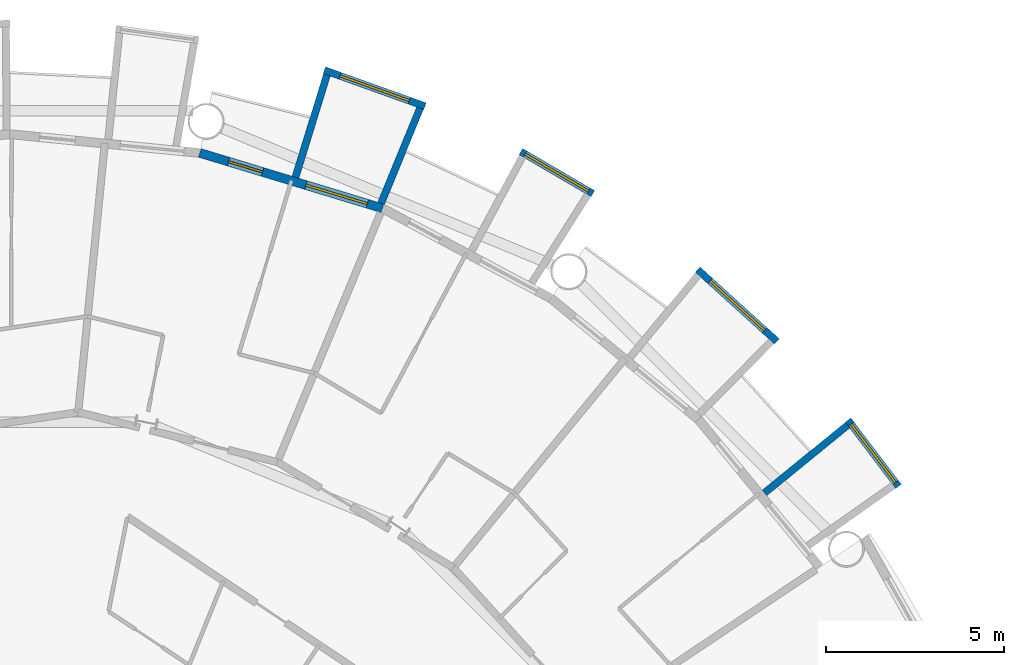
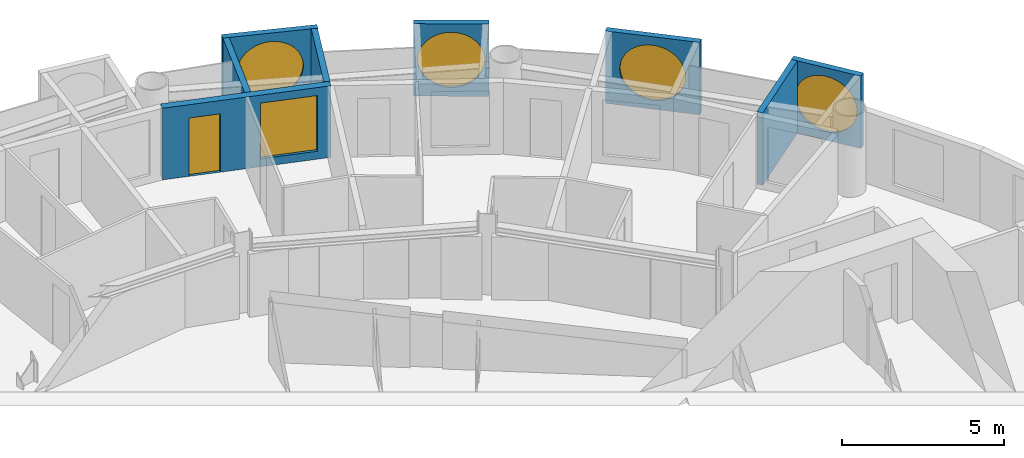
# One storey, part 22 of 26: 8 walls, 5 windows, 1 door, 6 openings.
"""IFC4 building model written with IfcOpenShell, lengths in metres."""

from ifc_helpers import new_model, si_unit, direction, frame, frame_2d, origin, place, context, subcontext, project, spatial, rectangle, circle, extrude, material, layer, layer_set, type_object, element, fill, save


model = new_model("IFC4")

# Units and contexts
model_context = context("Model", 3, precision=1e-05, world=origin(), true_north=direction((0.0, 1.0)))
body_context = subcontext(model_context, "Body", "Model", "MODEL_VIEW")
ifc_project = project(units=[si_unit("LENGTHUNIT", "METRE"), si_unit("AREAUNIT", "SQUARE_METRE"), si_unit("VOLUMEUNIT", "CUBIC_METRE"), si_unit("PLANEANGLEUNIT", "RADIAN"), si_unit("MASSUNIT", "GRAM", prefix="KILO")], contexts=[model_context])

# Site, building, storey
site_placement = place(None, origin())
site = spatial("IfcSite", under=ifc_project, at=site_placement, CompositionType="ELEMENT")
building_placement = place(site_placement, origin())
building = spatial("IfcBuilding", under=site, at=building_placement, Name="Maasbend Ring Residences", CompositionType="ELEMENT")
storey_placement = place(building_placement, frame((0.0, 0.0, 28.89990234375)))
storey = spatial("IfcBuildingStorey", under=building, at=storey_placement, Name="L07", CompositionType="ELEMENT", Elevation=28.89990234375)

# Wall, opening, window
ifc_material_1 = material(Name="Pale anodised aluminium panel", Category="aluminium")
ifc_layer_1 = layer(ifc_material_1, 0.199951171875)
ifc_layer_set_1 = layer_set([ifc_layer_1], Name="EW-BOX")
wall_type_1 = type_object("IfcWallType", Name="EW-BOX", PredefinedType="SOLIDWALL", material=ifc_layer_set_1)
wall_1_placement = place(storey_placement, frame((24.908935546875, 17.427001953125, -0.02978515625), z_axis=(0.0, 0.0, 1.0), x_axis=(-0.60418752353, 0.796842165306, 0.0)))
wall_1 = element("IfcWall", 1, at=wall_1_placement, inside=storey, type_object=wall_type_1, Name="Box front N01", PredefinedType="SOLIDWALL", context=body_context, shape_type="SweptSolid", body=[
    extrude(rectangle(XDim=2.3369140625, YDim=0.199951171875, at=frame_2d((1.16845703125, 0.0))), origin(), (0.0, 0.0, 1.0), 2.72998046875),
])
opening_1_placement = place(wall_1_placement, frame((0.128173828125, 0.0, 0.330078125)))
opening_1 = element("IfcOpeningElement", 2, at=opening_1_placement, cuts=wall_1, Name="Opening W-RD", PredefinedType="OPENING", context=body_context, shape_type="SweptSolid", body=[
    extrude(circle(Radius=1.0400390625, at=frame_2d((1.0400390625, 1.0400390625))), frame((0.0, 0.10986328125, 0.0), z_axis=(0.0, -1.0, 0.0), x_axis=(1.0, 0.0, 0.0)), (0.0, 0.0, 1.0), 0.219970703125),
])
ifc_material_2 = material(Name="Aluminium and clear glass", Category="aluminium")
window_type_1 = type_object("IfcWindowType", Name="W-RD", PartitioningType="SINGLE_PANEL", PredefinedType="WINDOW", material=ifc_material_2)
window_1_placement = place(opening_1_placement, origin())
window_1 = element("IfcWindow", 3, at=window_1_placement, inside=storey, type_object=window_type_1, Name="Round window N01", OverallHeight=2.080078125, OverallWidth=2.080078125, PartitioningType="SINGLE_PANEL", PredefinedType="WINDOW", context=body_context, shape_type="SweptSolid", body=[
    extrude(circle(Radius=1.0400390625, at=frame_2d((1.0400390625, 1.0400390625))), frame((0.0, 0.030029296875, 0.0), z_axis=(0.0, -1.0, 0.0), x_axis=(1.0, 0.0, 0.0)), (0.0, 0.0, 1.0), 0.06005859375),
])
fill(opening_1, window_1)

# Wall
wall_2_placement = place(storey_placement, frame((21.155029296875, 17.24609375, -0.02978515625), z_axis=(0.0, 0.0, 1.0), x_axis=(0.775179004516, 0.631741648902, 0.0)))
element("IfcWall", 4, at=wall_2_placement, inside=storey, type_object=wall_type_1, Name="Box side wall N01 right", PredefinedType="SOLIDWALL", context=body_context, shape_type="SweptSolid", body=[
    extrude(rectangle(XDim=3.005859375, YDim=0.199951171875, at=frame_2d((1.5029296875, 0.0))), origin(), (0.0, 0.0, 1.0), 2.72998046875),
])

# Wall, opening, window
wall_3_placement = place(storey_placement, frame((21.5, 21.492919921875, -0.02978515625), z_axis=(0.0, 0.0, 1.0), x_axis=(-0.740998365753, 0.671506829416, 0.0)))
wall_3 = element("IfcWall", 5, at=wall_3_placement, inside=storey, type_object=wall_type_1, Name="Box front N03", PredefinedType="SOLIDWALL", context=body_context, shape_type="SweptSolid", body=[
    extrude(rectangle(XDim=2.9931640625, YDim=0.199951171875, at=frame_2d((1.49658203125, 0.0))), origin(), (0.0, 0.0, 1.0), 2.72998046875),
])
opening_2_placement = place(wall_3_placement, frame((0.45654296875, 0.0, 0.330078125)))
opening_2 = element("IfcOpeningElement", 6, at=opening_2_placement, cuts=wall_3, Name="Opening W-RD", PredefinedType="OPENING", context=body_context, shape_type="SweptSolid", body=[
    extrude(circle(Radius=1.0400390625, at=frame_2d((1.0400390625, 1.0400390625))), frame((0.0, 0.10986328125, 0.0), z_axis=(0.0, -1.0, 0.0), x_axis=(1.0, 0.0, 0.0)), (0.0, 0.0, 1.0), 0.219970703125),
])
window_2_placement = place(opening_2_placement, origin())
window_2 = element("IfcWindow", 7, at=window_2_placement, inside=storey, type_object=window_type_1, Name="Round window N03", OverallHeight=2.080078125, OverallWidth=2.080078125, PartitioningType="SINGLE_PANEL", PredefinedType="WINDOW", context=body_context, shape_type="SweptSolid", body=[
    extrude(circle(Radius=1.0400390625, at=frame_2d((1.0400390625, 1.0400390625))), frame((0.0, 0.030029296875, 0.0), z_axis=(0.0, -1.0, 0.0), x_axis=(1.0, 0.0, 0.0)), (0.0, 0.0, 1.0), 0.06005859375),
])
fill(opening_2, window_2)

wall_4_placement = place(storey_placement, frame((16.343994140625, 25.633056640625, -0.02978515625), z_axis=(0.0, 0.0, 1.0), x_axis=(-0.863346521872, 0.504611517081, 0.0)))
wall_4 = element("IfcWall", 8, at=wall_4_placement, inside=storey, type_object=wall_type_1, Name="Box front N05", PredefinedType="SOLIDWALL", context=body_context, shape_type="SweptSolid", body=[
    extrude(rectangle(XDim=2.33642578125, YDim=0.199951171875, at=frame_2d((1.168212890625, 0.0))), origin(), (0.0, 0.0, 1.0), 2.72998046875),
])
opening_3_placement = place(wall_4_placement, frame((0.128173828125, 0.0, 0.330078125)))
opening_3 = element("IfcOpeningElement", 9, at=opening_3_placement, cuts=wall_4, Name="Opening W-RD", PredefinedType="OPENING", context=body_context, shape_type="SweptSolid", body=[
    extrude(circle(Radius=1.0400390625, at=frame_2d((1.0400390625, 1.0400390625))), frame((0.0, 0.10986328125, 0.0), z_axis=(0.0, -1.0, 0.0), x_axis=(1.0, 0.0, 0.0)), (0.0, 0.0, 1.0), 0.219970703125),
])
window_3_placement = place(opening_3_placement, origin())
window_3 = element("IfcWindow", 10, at=window_3_placement, inside=storey, type_object=window_type_1, Name="Round window N05", OverallHeight=2.080078125, OverallWidth=2.080078125, PartitioningType="SINGLE_PANEL", PredefinedType="WINDOW", context=body_context, shape_type="SweptSolid", body=[
    extrude(circle(Radius=1.0400390625, at=frame_2d((1.0400390625, 1.0400390625))), frame((0.0, 0.030029296875, 0.0), z_axis=(0.0, -1.0, 0.0), x_axis=(1.0, 0.0, 0.0)), (0.0, 0.0, 1.0), 0.06005859375),
])
fill(opening_3, window_3)

wall_5_placement = place(storey_placement, frame((11.637939453125, 28.083984375, -0.02978515625), z_axis=(0.0, 0.0, 1.0), x_axis=(-0.941461077774, 0.337121697664, 0.0)))
wall_5 = element("IfcWall", 11, at=wall_5_placement, inside=storey, type_object=wall_type_1, Name="Box front N07", PredefinedType="SOLIDWALL", context=body_context, shape_type="SweptSolid", body=[
    extrude(rectangle(XDim=2.9931640625, YDim=0.199951171875, at=frame_2d((1.49658203125, 0.0))), origin(), (0.0, 0.0, 1.0), 2.72998046875),
])
opening_4_placement = place(wall_5_placement, frame((0.45654296875, 0.0, 0.330078125)))
opening_4 = element("IfcOpeningElement", 12, at=opening_4_placement, cuts=wall_5, Name="Opening W-RD", PredefinedType="OPENING", context=body_context, shape_type="SweptSolid", body=[
    extrude(circle(Radius=1.0400390625, at=frame_2d((1.0400390625, 1.0400390625))), frame((0.0, 0.10986328125, 0.0), z_axis=(0.0, -1.0, 0.0), x_axis=(1.0, 0.0, 0.0)), (0.0, 0.0, 1.0), 0.219970703125),
])
window_4_placement = place(opening_4_placement, origin())
window_4 = element("IfcWindow", 13, at=window_4_placement, inside=storey, type_object=window_type_1, Name="Round window N07", OverallHeight=2.080078125, OverallWidth=2.080078125, PartitioningType="SINGLE_PANEL", PredefinedType="WINDOW", context=body_context, shape_type="SweptSolid", body=[
    extrude(circle(Radius=1.0400390625, at=frame_2d((1.0400390625, 1.0400390625))), frame((0.0, 0.030029296875, 0.0), z_axis=(0.0, -1.0, 0.0), x_axis=(1.0, 0.0, 0.0)), (0.0, 0.0, 1.0), 0.06005859375),
])
fill(opening_4, window_4)

# Walls
wall_6_placement = place(storey_placement, frame((10.408935546875, 25.364013671875, -0.02978515625), z_axis=(0.0, 0.0, 1.0), x_axis=(0.379509886562, 0.925187681501, 0.0)))
element("IfcWall", 14, at=wall_6_placement, inside=storey, type_object=wall_type_1, Name="Box side wall N07 left", PredefinedType="SOLIDWALL", context=body_context, shape_type="SweptSolid", body=[
    extrude(rectangle(XDim=2.882568359375, YDim=0.199951171875, at=frame_2d((1.44140625, 0.0))), origin(), (0.0, 0.0, 1.0), 2.72998046875),
])
wall_7_placement = place(storey_placement, frame((8.009033203125, 26.092041015625, -0.02978515625), z_axis=(0.0, 0.0, 1.0), x_axis=(0.293406695073, 0.955987715029, 0.0)))
element("IfcWall", 15, at=wall_7_placement, inside=storey, type_object=wall_type_1, Name="Box side wall N07 right", PredefinedType="SOLIDWALL", context=body_context, shape_type="SweptSolid", body=[
    extrude(rectangle(XDim=3.00634765625, YDim=0.199951171875, at=frame_2d((1.503173828125, 0.0))), origin(), (0.0, 0.0, 1.0), 2.72998046875),
])

# Wall, openings, door, window
ifc_material_3 = material(Name="Aluminium clad insulated panel", Category="aluminium")
ifc_layer_2 = layer(ifc_material_3, 0.25)
ifc_layer_set_2 = layer_set([ifc_layer_2], Name="EW-GL")
wall_type_2 = type_object("IfcWallType", Name="EW-GL", PredefinedType="SOLIDWALL", material=ifc_layer_set_2)
wall_8_placement = place(storey_placement, frame((10.447021484375, 25.221923828125, 0.0), z_axis=(0.0, 0.0, 1.0), x_axis=(-0.956965678721, 0.290201119486, 0.0)))
wall_8 = element("IfcWall", 16, at=wall_8_placement, inside=storey, type_object=wall_type_2, Name="External wall N04", PredefinedType="SOLIDWALL", context=body_context, shape_type="SweptSolid", body=[
    extrude(rectangle(XDim=5.351318359375, YDim=0.25, at=frame_2d((2.67578125, 0.0))), origin(), (0.0, 0.0, 1.0), 2.7001953125),
])
opening_5_placement = place(wall_8_placement, frame((0.441162109375, 0.0, 0.300048828125)))
opening_5 = element("IfcOpeningElement", 17, at=opening_5_placement, cuts=wall_8, Name="Opening W-BX", PredefinedType="OPENING", context=body_context, shape_type="SweptSolid", body=[
    extrude(rectangle(XDim=1.800048828125, YDim=2.10009765625, at=frame_2d((0.89990234375, 1.050048828125))), frame((0.0, 0.135009765625, 0.0), z_axis=(0.0, -1.0, 0.0), x_axis=(1.0, 0.0, 0.0)), (0.0, 0.0, 1.0), 0.27001953125),
])
opening_6_placement = place(wall_8_placement, frame((3.510498046875, 0.0, 0.0)))
opening_6 = element("IfcOpeningElement", 18, at=opening_6_placement, cuts=wall_8, Name="Opening D-LG", PredefinedType="OPENING", context=body_context, shape_type="SweptSolid", body=[
    extrude(rectangle(XDim=1.0, YDim=2.199951171875, at=frame_2d((0.5, 1.10009765625))), frame((0.0, 0.135009765625, 0.0), z_axis=(0.0, -1.0, 0.0), x_axis=(1.0, 0.0, 0.0)), (0.0, 0.0, 1.0), 0.27001953125),
])
ifc_material_4 = material(Name="Aluminium and clear glass", Category="aluminium")
door_type = type_object("IfcDoorType", Name="D-LG", OperationType="SINGLE_SWING_LEFT", PredefinedType="DOOR", material=ifc_material_4)
door_placement = place(opening_6_placement, origin())
door = element("IfcDoor", 19, at=door_placement, inside=storey, type_object=door_type, Name="Loggia door N08", OperationType="SINGLE_SWING_LEFT", OverallHeight=2.199951171875, OverallWidth=1.0, PredefinedType="DOOR", context=body_context, shape_type="SweptSolid", body=[
    extrude(rectangle(XDim=1.0, YDim=2.199951171875, at=frame_2d((0.5, 1.10009765625))), frame((0.0, 0.02490234375, 0.0), z_axis=(0.0, -1.0, 0.0), x_axis=(1.0, 0.0, 0.0)), (0.0, 0.0, 1.0), 0.050048828125),
])
fill(opening_6, door)
ifc_material_5 = material(Name="Aluminium and clear glass", Category="aluminium")
window_type_2 = type_object("IfcWindowType", Name="W-BX", PartitioningType="DOUBLE_PANEL_VERTICAL", PredefinedType="WINDOW", material=ifc_material_5)
window_5_placement = place(opening_5_placement, origin())
window_5 = element("IfcWindow", 20, at=window_5_placement, inside=storey, type_object=window_type_2, Name="Window N07 room to box", OverallHeight=2.10009765625, OverallWidth=1.800048828125, PartitioningType="SINGLE_PANEL", PredefinedType="WINDOW", context=body_context, shape_type="SweptSolid", body=[
    extrude(rectangle(XDim=1.800048828125, YDim=2.10009765625, at=frame_2d((0.89990234375, 1.050048828125))), frame((0.0, 0.030029296875, 0.0), z_axis=(0.0, -1.0, 0.0), x_axis=(1.0, 0.0, 0.0)), (0.0, 0.0, 1.0), 0.06005859375),
])
fill(opening_5, window_5)

save(model, "model.ifc")
